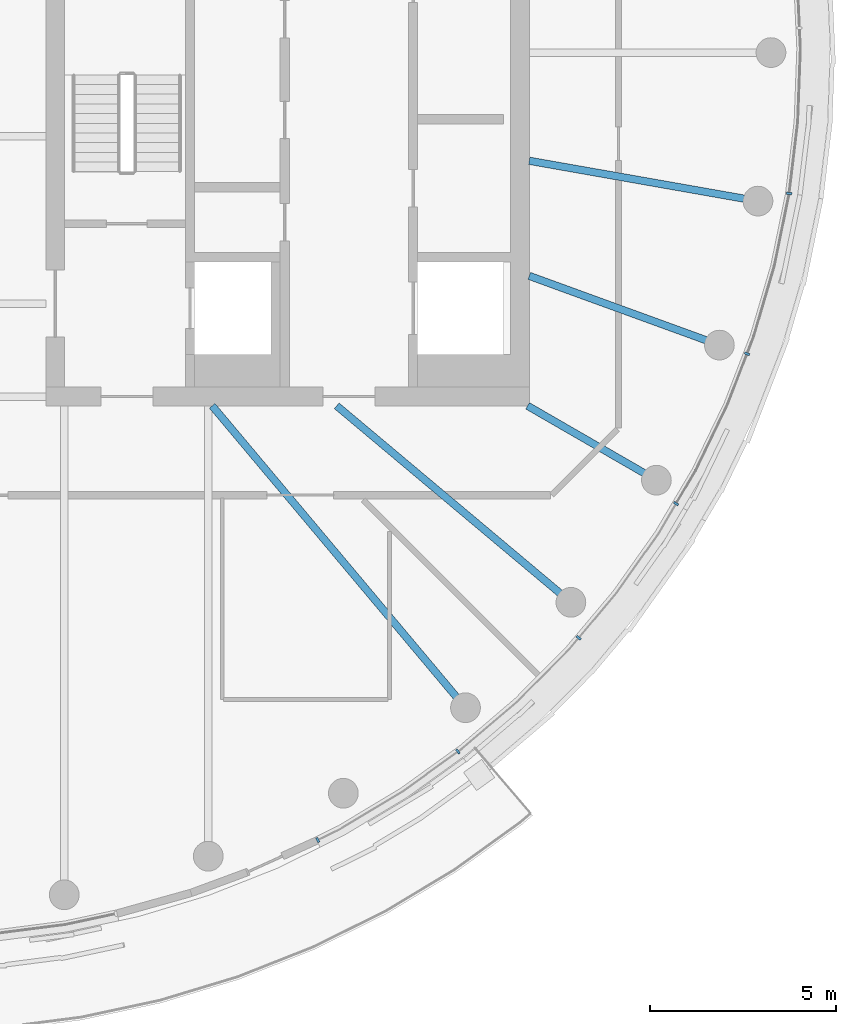
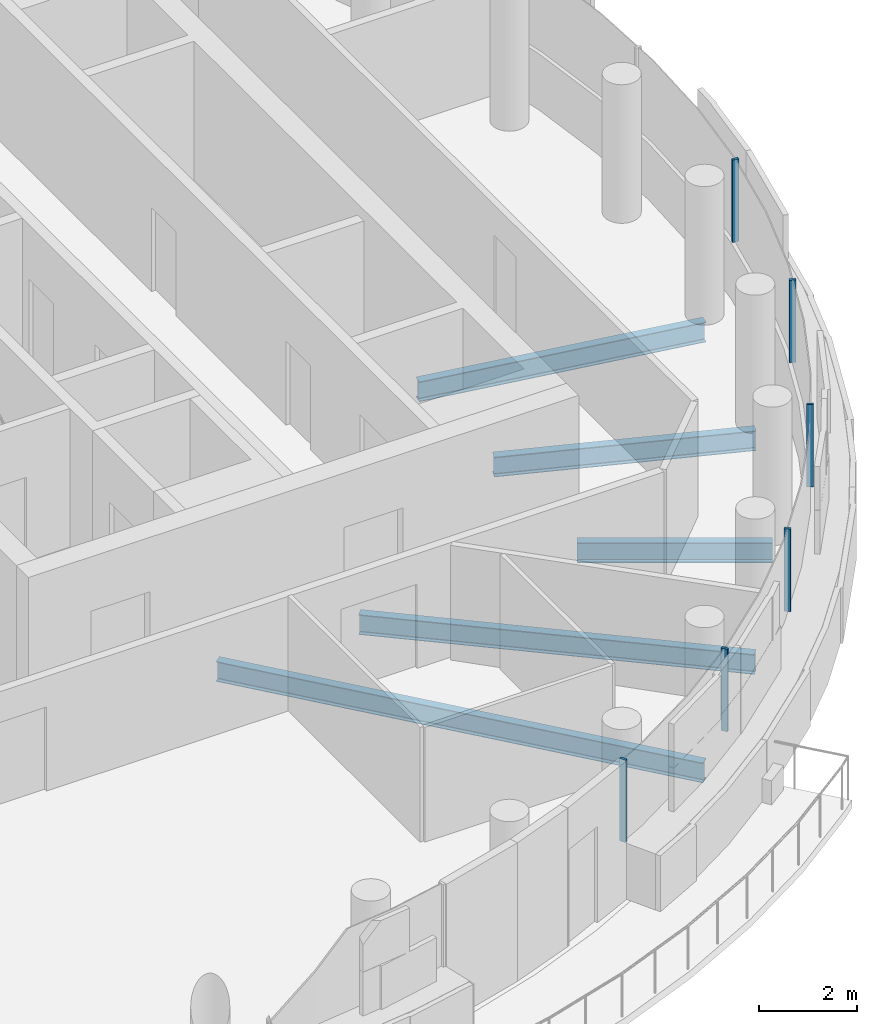
# One storey, part 6 of 21: 6 members, 5 beams, 1 element without a shape of its own.
"""IFC4 building model written with IfcOpenShell, lengths in metres."""

from ifc_helpers import new_model, si_unit, direction, frame, origin, origin_2d, place, context, subcontext, project, spatial, rectangle, i_section, extrude, material, layer, layer_set, material_profile, profile_set, type_object, element, aggregate, save


model = new_model("IFC4")

# Units and contexts
model_context = context("Model", 3, precision=1e-05, world=origin(), true_north=direction((0.0, 1.0)))
body_context = subcontext(model_context, "Body", "Model", "MODEL_VIEW")
ifc_project = project(units=[si_unit("LENGTHUNIT", "METRE"), si_unit("AREAUNIT", "SQUARE_METRE"), si_unit("VOLUMEUNIT", "CUBIC_METRE"), si_unit("PLANEANGLEUNIT", "RADIAN"), si_unit("MASSUNIT", "GRAM", prefix="KILO")], contexts=[model_context])

# Site, building, storey
site_placement = place(None, origin())
site = spatial("IfcSite", under=ifc_project, at=site_placement, CompositionType="ELEMENT")
building_placement = place(site_placement, origin())
building = spatial("IfcBuilding", under=site, at=building_placement, Name="Tamarind Cross Interchange Tower", CompositionType="ELEMENT")
storey_placement = place(building_placement, frame((0.0, 0.0, 264.0)))
storey = spatial("IfcBuildingStorey", under=building, at=storey_placement, Name="L67", CompositionType="ELEMENT", Elevation=264.0)

# Beams
ifc_material_1 = material(Name="Steel Q355B", Category="steel")
ifc_material_profile_1 = material_profile(ifc_material_1, i_section(OverallWidth=0.198974609375, OverallDepth=0.49609375, WebThickness=0.009033203125, FlangeThickness=0.013916015625, FilletRadius=0.012939453125, at=origin_2d()), Name="HN 496x199x9x14")
ifc_profile_set_1 = profile_set([ifc_material_profile_1], Name="Steel Q355B")
beam_type = type_object("IfcBeamType", Name="Composite beam HN 496x199x9x14 Q355B", PredefinedType="BEAM", material=ifc_profile_set_1)
beam_1_placement = place(storey_placement, frame((14.7841796875, -17.619140625, -0.387939453125), z_axis=(-0.642786293979, 0.766045547127, 0.0), x_axis=(-0.766045547127, -0.642786293979, 0.0)))
element("IfcBeam", 1, at=beam_1_placement, inside=storey, type_object=beam_type, Name="Beam HH31", PredefinedType="BEAM", context=body_context, shape_type="SweptSolid", body=[
    extrude(i_section(OverallWidth=0.198974609375, OverallDepth=0.49609375, WebThickness=0.009033203125, FlangeThickness=0.013916015625, FilletRadius=0.012939453125, at=origin_2d()), origin(), (0.0, 0.0, 1.0), 10.598876953125),
])
beam_2_placement = place(storey_placement, frame((17.619140625, -14.7841796875, -0.387939453125), z_axis=(-0.766040580814, 0.642792212574, 0.0), x_axis=(-0.642792212574, -0.766040580814, 0.0)))
element("IfcBeam", 2, at=beam_2_placement, inside=storey, type_object=beam_type, Name="Beam HH32", PredefinedType="BEAM", context=body_context, shape_type="SweptSolid", body=[
    extrude(i_section(OverallWidth=0.198974609375, OverallDepth=0.49609375, WebThickness=0.009033203125, FlangeThickness=0.013916015625, FilletRadius=0.012939453125, at=origin_2d()), origin(), (0.0, 0.0, 1.0), 8.220703125),
])
beam_3_placement = place(storey_placement, frame((19.918701171875, -11.5, -0.387939453125), z_axis=(-0.866026010844, 0.49999894854, 0.0), x_axis=(-0.49999894854, -0.866026010844, 0.0)))
element("IfcBeam", 3, at=beam_3_placement, inside=storey, type_object=beam_type, Name="Beam HH33", PredefinedType="BEAM", context=body_context, shape_type="SweptSolid", body=[
    extrude(i_section(OverallWidth=0.198974609375, OverallDepth=0.49609375, WebThickness=0.009033203125, FlangeThickness=0.013916015625, FilletRadius=0.012939453125, at=origin_2d()), origin(), (0.0, 0.0, 1.0), 4.0),
])
beam_4_placement = place(storey_placement, frame((21.613037109375, -7.866455078125, -0.387939453125), z_axis=(-0.939701685589, 0.341995236956, 0.0), x_axis=(-0.341995236956, -0.939701685589, 0.0)))
element("IfcBeam", 4, at=beam_4_placement, inside=storey, type_object=beam_type, Name="Beam HH34", PredefinedType="BEAM", context=body_context, shape_type="SweptSolid", body=[
    extrude(i_section(OverallWidth=0.198974609375, OverallDepth=0.49609375, WebThickness=0.009033203125, FlangeThickness=0.013916015625, FilletRadius=0.012939453125, at=origin_2d()), origin(), (0.0, 0.0, 1.0), 5.441162109375),
])
beam_5_placement = place(storey_placement, frame((22.650634765625, -3.993896484375, -0.387939453125), z_axis=(-0.984809127561, 0.173640382036, 0.0), x_axis=(-0.173640382036, -0.984809127561, 0.0)))
element("IfcBeam", 5, at=beam_5_placement, inside=storey, type_object=beam_type, Name="Beam HH35", PredefinedType="BEAM", context=body_context, shape_type="SweptSolid", body=[
    extrude(i_section(OverallWidth=0.198974609375, OverallDepth=0.49609375, WebThickness=0.009033203125, FlangeThickness=0.013916015625, FilletRadius=0.012939453125, at=origin_2d()), origin(), (0.0, 0.0, 1.0), 6.24560546875),
])

# Curtain wall, members
ifc_material_2 = material(Name="Aluminium 6063-T6", Category="aluminium")
ifc_layer = layer(ifc_material_2, 0.139892578125)
ifc_layer_set = layer_set([ifc_layer], Name="Aluminium 6063-T6")
curtain_wall_type = type_object("IfcCurtainWallType", Name="Hotel curtain wall, 4.5 m bays", PredefinedType="NOTDEFINED", material=ifc_layer_set)
curtain_wall_placement = place(storey_placement, origin())
curtain_wall = element("IfcCurtainWall", 6, at=curtain_wall_placement, inside=storey, type_object=curtain_wall_type, Name="CWS-L67-01", PredefinedType="NOTDEFINED")
ifc_material_profile_2 = material_profile(ifc_material_2, rectangle(XDim=0.06005859375, YDim=0.139892578125, at=origin_2d()), Name="Mullion CW2")
ifc_profile_set_2 = profile_set([ifc_material_profile_2], Name="Aluminium 6063-T6")
member_type = type_object("IfcMemberType", Name="Mullion CW2", PredefinedType="MULLION", material=ifc_profile_set_2)
member_1_placement = place(storey_placement, frame((10.811279296875, -21.177490234375, 1.39990234375), z_axis=(0.0, 0.0, 1.0), x_axis=(0.896492548518, 0.443058811505, 0.0)))
member_1 = element("IfcMember", 7, at=member_1_placement, type_object=member_type, Name="CWM-L67-01-16", PredefinedType="MULLION", context=body_context, shape_type="SweptSolid", body=[
    extrude(rectangle(XDim=0.06005859375, YDim=0.139892578125, at=origin_2d()), origin(), (0.0, 0.0, 1.0), 2.06005859375),
])
member_2_placement = place(storey_placement, frame((14.582275390625, -18.79736328125, 1.39990234375), z_axis=(0.0, 0.0, 1.0), x_axis=(0.811340475102, 0.584573890505, 0.0)))
member_2 = element("IfcMember", 8, at=member_2_placement, type_object=member_type, Name="CWM-L67-01-17", PredefinedType="MULLION", context=body_context, shape_type="SweptSolid", body=[
    extrude(rectangle(XDim=0.06005859375, YDim=0.139892578125, at=origin_2d()), origin(), (0.0, 0.0, 1.0), 2.06005859375),
])
member_3_placement = place(storey_placement, frame((17.828857421875, -15.740234375, 1.39990234375), z_axis=(0.0, 0.0, 1.0), x_axis=(0.643009266048, 0.765858396687, 0.0)))
member_3 = element("IfcMember", 9, at=member_3_placement, type_object=member_type, Name="CWM-L67-01-18", PredefinedType="MULLION", context=body_context, shape_type="SweptSolid", body=[
    extrude(rectangle(XDim=0.06005859375, YDim=0.139892578125, at=origin_2d()), origin(), (0.0, 0.0, 1.0), 2.06005859375),
])
member_4_placement = place(storey_placement, frame((20.44775390625, -12.13134765625, 1.39990234375), z_axis=(0.0, 0.0, 1.0), x_axis=(0.508183308752, 0.861248933065, 0.0)))
member_4 = element("IfcMember", 10, at=member_4_placement, type_object=member_type, Name="CWM-L67-01-19", PredefinedType="MULLION", context=body_context, shape_type="SweptSolid", body=[
    extrude(rectangle(XDim=0.06005859375, YDim=0.139892578125, at=origin_2d()), origin(), (0.0, 0.0, 1.0), 2.06005859375),
])
member_5_placement = place(storey_placement, frame((22.357421875, -8.102294921875, 1.39990234375), z_axis=(0.0, 0.0, 1.0), x_axis=(0.359495435512, 0.933146843667, 0.0)))
member_5 = element("IfcMember", 11, at=member_5_placement, type_object=member_type, Name="CWM-L67-01-20", PredefinedType="MULLION", context=body_context, shape_type="SweptSolid", body=[
    extrude(rectangle(XDim=0.06005859375, YDim=0.139892578125, at=origin_2d()), origin(), (0.0, 0.0, 1.0), 2.06005859375),
])
member_6_placement = place(storey_placement, frame((23.490966796875, -3.7890625, 1.39990234375), z_axis=(0.0, 0.0, 1.0), x_axis=(0.119420963295, 0.992843710523, 0.0)))
member_6 = element("IfcMember", 12, at=member_6_placement, type_object=member_type, Name="CWM-L67-01-21", PredefinedType="MULLION", context=body_context, shape_type="SweptSolid", body=[
    extrude(rectangle(XDim=0.06005859375, YDim=0.139892578125, at=origin_2d()), origin(), (0.0, 0.0, 1.0), 2.06005859375),
])
aggregate(curtain_wall, [member_1, member_2, member_3, member_4, member_5, member_6])

save(model, "model.ifc")
